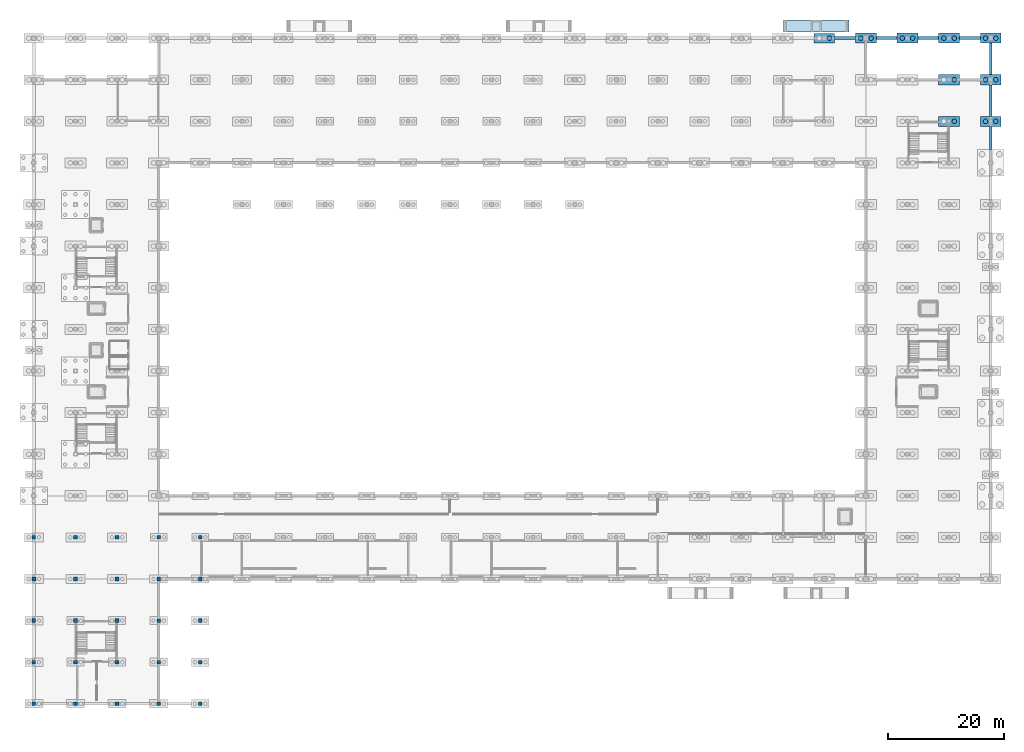
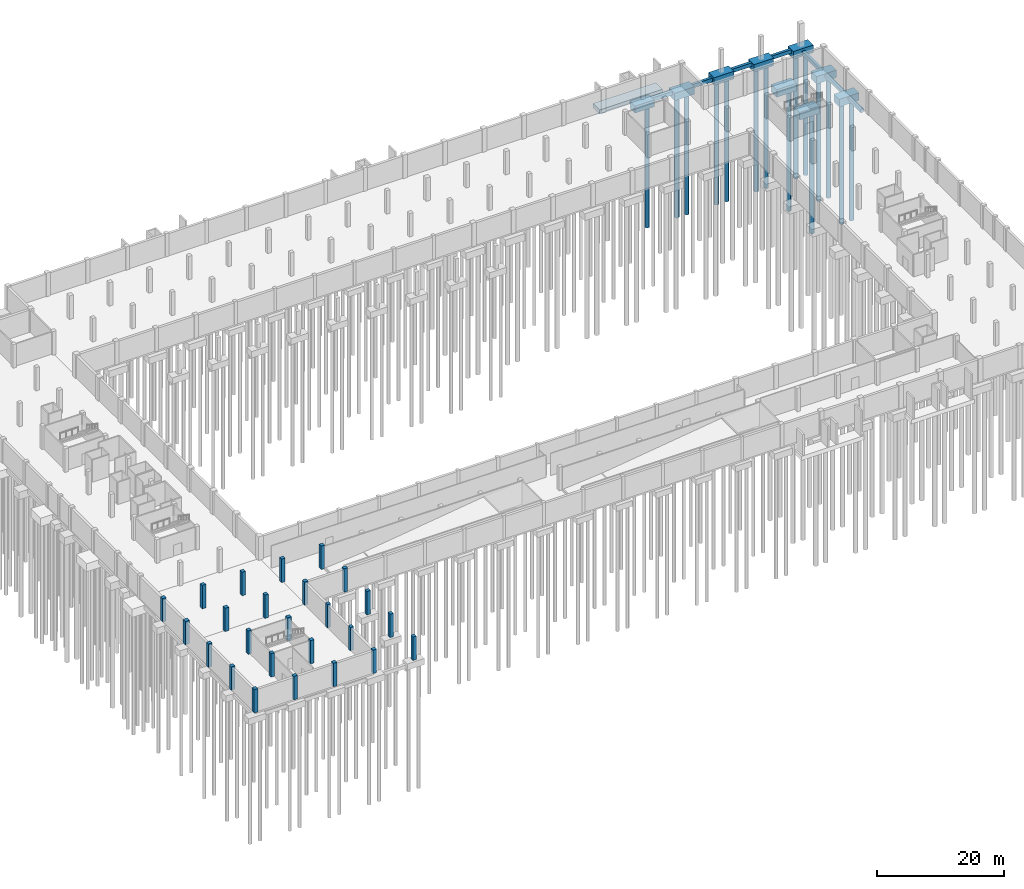
# One storey, part 6 of 18: 25 columns, 17 footings, 15 piles.
"""IFC4 building model written with IfcOpenShell, lengths in metres."""

import ifcopenshell
import ifcopenshell.guid

model = None  # the IFC model being written
_history = None  # IfcOwnerHistory: only IFC2X3 demands one
_inside = {}  # id of a spatial element -> (the spatial element, [elements in it])
_under = {}  # id of a project, library or spatial element -> (it, [spatial elements below it])
_declared = {}  # id of a project -> (the project, [libraries it declares])
_typed = {}  # id of a type object -> (the type object, [elements of that type])
_made_of = {}  # id of a material, layer set ... -> (it, [elements and type objects made of it])


def new_model(schema):
    """Start an empty IFC model of exactly this schema.

    Asked for "IFC4X3", IfcOpenShell would pick the latest addendum, in which some entities
    have other attributes; the version numbers below select the first issue.
    IFC2X3 requires an IfcOwnerHistory on every rooted entity: one is made here for all.
    """
    global model, _history
    if schema == "IFC4X3":
        model = ifcopenshell.file(schema_version=(4, 3, 0, 0))
    else:
        model = ifcopenshell.file(schema=schema)
    _inside.clear()
    _under.clear()
    _declared.clear()
    _typed.clear()
    _made_of.clear()
    _history = None
    if model.schema == "IFC2X3":
        org = make("IfcOrganization", Name="unknown")
        user = make(
            "IfcPersonAndOrganization",
            ThePerson=make("IfcPerson", FamilyName="unknown"),
            TheOrganization=org,
        )
        app = make(
            "IfcApplication",
            ApplicationDeveloper=org,
            Version="unknown",
            ApplicationFullName="unknown",
            ApplicationIdentifier="unknown",
        )
        _history = make(
            "IfcOwnerHistory",
            OwningUser=user,
            OwningApplication=app,
            ChangeAction="ADDED",
            CreationDate=0,
        )
    return model


def make(cls, **values):
    """One entity of the class cls with the attributes given. An attribute that is None is left unset."""
    return model.create_entity(
        cls, **{name: value for name, value in values.items() if value is not None}
    )


def rooted(cls, **values):
    """An entity with a GlobalId (a new one), such as an element, a storey or a relation."""
    return make(cls, GlobalId=ifcopenshell.guid.new(), OwnerHistory=_history, **values)


def si_unit(unit_type, name, prefix=None):
    """IfcSIUnit, for example si_unit("LENGTHUNIT", "METRE", prefix="MILLI")."""
    return make("IfcSIUnit", UnitType=unit_type, Prefix=prefix, Name=name)


def assignment(units):
    """IfcUnitAssignment: the units of a project."""
    return None if units is None else make("IfcUnitAssignment", Units=units)


def point(xyz):
    """IfcCartesianPoint."""
    return None if xyz is None else make("IfcCartesianPoint", Coordinates=xyz)


def direction(xyz):
    """IfcDirection."""
    return None if xyz is None else make("IfcDirection", DirectionRatios=xyz)


def frame(location, z_axis=None, x_axis=None):
    """IfcAxis2Placement3D, a coordinate frame: its origin and axes. An axis left out is left unset."""
    return make(
        "IfcAxis2Placement3D",
        Location=point(location),
        Axis=direction(z_axis),
        RefDirection=direction(x_axis),
    )


def frame_2d(location, x_axis=None):
    """IfcAxis2Placement2D, a coordinate frame in the plane: its origin and x axis."""
    return make(
        "IfcAxis2Placement2D", Location=point(location), RefDirection=direction(x_axis)
    )


def origin():
    """The frame at (0, 0, 0) with its axes left unset."""
    return frame((0.0, 0.0, 0.0))


def origin_2d():
    """The frame at (0, 0) in the plane with its x axis left unset."""
    return frame_2d((0.0, 0.0))


def place(relative_to, where):
    """IfcLocalPlacement: puts the frame where relative to a parent placement (None: the world)."""
    return make(
        "IfcLocalPlacement", PlacementRelTo=relative_to, RelativePlacement=where
    )


def context(
    kind, dimensions, precision=None, world=None, true_north=None, identifier=None
):
    """IfcGeometricRepresentationContext, for example the 3D "Model" context."""
    return make(
        "IfcGeometricRepresentationContext",
        ContextIdentifier=identifier,
        ContextType=kind,
        CoordinateSpaceDimension=dimensions,
        Precision=precision,
        WorldCoordinateSystem=world,
        TrueNorth=true_north,
    )


def subcontext(parent, identifier, kind, view, scale=None):
    """IfcGeometricRepresentationSubContext, for example "Body" below "Model"."""
    return make(
        "IfcGeometricRepresentationSubContext",
        ContextIdentifier=identifier,
        ContextType=kind,
        ParentContext=parent,
        TargetScale=scale,
        TargetView=view,
    )


def project(units=None, contexts=None):
    """IfcProject with its units and contexts."""
    return rooted(
        "IfcProject",
        Name="project",
        RepresentationContexts=contexts,
        UnitsInContext=assignment(units),
    )


def spatial(cls, under=None, at=None, **own):
    """A site, building, storey or space (cls), placed at a placement, below another one or the project."""
    s = rooted(cls, ObjectPlacement=at, **own)
    if under is not None:
        _under.setdefault(under.id(), (under, []))[1].append(s)
    return s


def profile(cls, at=None, kind="AREA", **sizes):
    """A parametric profile (cls). Its sizes go by their IFC names, for example OverallWidth=200.0."""
    return make(cls, ProfileType=kind, Position=at, **sizes)


def rectangle(**sizes):
    """IfcRectangleProfileDef."""
    return profile("IfcRectangleProfileDef", **sizes)


def circle(**sizes):
    """IfcCircleProfileDef."""
    return profile("IfcCircleProfileDef", **sizes)


def extrude(swept, where, along, depth):
    """IfcExtrudedAreaSolid: the profile swept, set in the frame where, extruded along a direction by depth."""
    return make(
        "IfcExtrudedAreaSolid",
        SweptArea=swept,
        Position=where,
        ExtrudedDirection=direction(along),
        Depth=depth,
    )


def shape(context_of_items, identifier, shape_type, items):
    """IfcShapeRepresentation: the items that make up one representation, for example the "Body"."""
    return make(
        "IfcShapeRepresentation",
        ContextOfItems=context_of_items,
        RepresentationIdentifier=identifier,
        RepresentationType=shape_type,
        Items=items,
    )


def material(Name=None, Category=None):
    """IfcMaterial."""
    return make("IfcMaterial", Name=Name, Category=Category)


def material_profile(
    of_material, cross_section, Name=None, Category=None, Priority=None
):
    """IfcMaterialProfile: a cross section and its material."""
    return make(
        "IfcMaterialProfile",
        Name=Name,
        Material=of_material,
        Profile=cross_section,
        Priority=Priority,
        Category=Category,
    )


def profile_set(profiles, Name=None, composite=None):
    """IfcMaterialProfileSet."""
    return make(
        "IfcMaterialProfileSet",
        Name=Name,
        MaterialProfiles=profiles,
        CompositeProfile=composite,
    )


def made_of(thing, what):
    """Note that an element or type object is made of a material, layer set ...; save() writes the relation."""
    if what is not None:
        _made_of.setdefault(what.id(), (what, []))[1].append(thing)
    return thing


def type_object(cls, material=None, **own):
    """A type object (cls), such as IfcWallType, which elements share."""
    return made_of(rooted(cls, **own), material)


def element(
    cls,
    number,
    at=None,
    inside=None,
    cuts=None,
    type_object=None,
    material=None,
    context=None,
    identifier="Body",
    shape_type=None,
    held_by="IfcProductDefinitionShape",
    body=None,
    shapes=None,
    **own,
):
    """One element of the class cls, such as IfcWall. Its Tag is "e" and its number.

    at: its placement. inside: the storey or other place that contains it. cuts: it is an
    opening in that element (IfcRelVoidsElement). A single representation is given by context,
    identifier, shape_type and body (its items); several are given by shapes. held_by: the class
    of the entity that holds the representations. save() writes the other relations.
    """
    e = rooted(cls, Tag="e%d" % number, ObjectPlacement=at, **own)
    if body is not None:
        shapes = [shape(context, identifier, shape_type, body)]
    if shapes is not None:
        e.Representation = make(held_by, Representations=shapes)
    if inside is not None:
        _inside.setdefault(inside.id(), (inside, []))[1].append(e)
    if cuts is not None:
        rooted(
            "IfcRelVoidsElement", RelatingBuildingElement=cuts, RelatedOpeningElement=e
        )
    if type_object is not None:
        _typed.setdefault(type_object.id(), (type_object, []))[1].append(e)
    return made_of(e, material)


def aggregate(whole, parts):
    """IfcRelAggregates: a whole, such as a stair, and the parts it consists of."""
    return rooted("IfcRelAggregates", RelatingObject=whole, RelatedObjects=parts)


def save(model, path):
    """Write the relations noted so far, then the file.

    IfcRelAggregates (storeys below a building ...), IfcRelContainedInSpatialStructure (elements
    in a storey), IfcRelDefinesByType, IfcRelAssociatesMaterial and IfcRelDeclares: one each for
    every whole, place, type object, material and project.
    """
    for whole, parts in _under.values():
        aggregate(whole, parts)
    for where, things in _inside.values():
        rooted(
            "IfcRelContainedInSpatialStructure",
            RelatedElements=things,
            RelatingStructure=where,
        )
    for kind, things in _typed.values():
        rooted("IfcRelDefinesByType", RelatedObjects=things, RelatingType=kind)
    for what, things in _made_of.values():
        rooted("IfcRelAssociatesMaterial", RelatedObjects=things, RelatingMaterial=what)
    for by, libraries in _declared.values():
        rooted("IfcRelDeclares", RelatingContext=by, RelatedDefinitions=libraries)
    model.write(path)


model = new_model("IFC4")

# Units and contexts
model_context = context("Model", 3, precision=1e-05, world=origin(), true_north=direction((0.0, 1.0)))
body_context = subcontext(model_context, "Body", "Model", "MODEL_VIEW")
ifc_project = project(units=[si_unit("LENGTHUNIT", "METRE"), si_unit("AREAUNIT", "SQUARE_METRE"), si_unit("VOLUMEUNIT", "CUBIC_METRE"), si_unit("PLANEANGLEUNIT", "RADIAN"), si_unit("MASSUNIT", "GRAM", prefix="KILO")], contexts=[model_context])

# Site, building, storey
site_placement = place(None, origin())
site = spatial("IfcSite", under=ifc_project, at=site_placement, CompositionType="ELEMENT")
building_placement = place(site_placement, origin())
building = spatial("IfcBuilding", under=site, at=building_placement, Name="Kangsadwip Square Police Headquarters", CompositionType="ELEMENT")
storey_placement = place(building_placement, frame((0.0, 0.0, -4.5)))
storey = spatial("IfcBuildingStorey", under=building, at=storey_placement, Name="B1", CompositionType="ELEMENT", Elevation=-4.5)

# Footing
ifc_material_1 = material(Name="Concrete M35 (35 MPa)", Category="concrete")
footing_type_1 = type_object("IfcFootingType", Name="AccRampPadFooting800", PredefinedType="PAD_FOOTING", material=ifc_material_1)
footing_1_placement = place(storey_placement, frame((135.39990234375, 117.300048828125, -1.25), z_axis=(0.0, 0.0, 1.0), x_axis=(1.0, 0.0, 0.0)))
element("IfcFooting", 1, at=footing_1_placement, inside=storey, type_object=footing_type_1, Name="Accessible Ramp Pad Footing PF-AR-003", PredefinedType="PAD_FOOTING", context=body_context, shape_type="SweptSolid", body=[
    extrude(rectangle(XDim=11.39990234375, YDim=2.080078125, at=origin_2d()), origin(), (0.0, 0.0, 1.0), 0.800048828125),
])

# Piles
ifc_material_2 = material(Name="Concrete M30 (30 MPa)", Category="concrete")
ifc_material_profile_1 = material_profile(ifc_material_2, circle(Radius=0.39990234375, at=origin_2d()), Name="PILE DIA 800")
ifc_profile_set_1 = profile_set([ifc_material_profile_1], Name="Concrete M30 (30 MPa)")
pile_type = type_object("IfcPileType", Name="BoredPileDia800", PredefinedType="BORED", material=ifc_profile_set_1)
pile_placement = place(storey_placement, frame((137.699951171875, 115.199951171875, -1.699951171875), z_axis=(0.0, 0.0, -1.0), x_axis=(1.0, 0.0, 0.0)))
element("IfcPile", 2, at=pile_placement, inside=storey, type_object=pile_type, Name="Bored Pile PILE-B1-1377-1152", PredefinedType="BORED", context=body_context, shape_type="SweptSolid", body=[
    extrude(circle(Radius=0.39990234375, at=origin_2d()), origin(), (0.0, 0.0, 1.0), 23.300048828125),
])
for number, where, z_axis, x_axis, name in (
    (3, (143.10009765625, 115.199951171875, -1.800048828125), (0.0, 0.0, -1.0), (1.0, 0.0, 0.0), "Bored Pile PILE-B1-1431-1152"),
    (4, (144.89990234375, 115.199951171875, -1.800048828125), (0.0, 0.0, -1.0), (1.0, 0.0, 0.0), "Bored Pile PILE-B1-1449-1152"),
):
    element("IfcPile", number, at=place(storey_placement, frame(where, z_axis=z_axis, x_axis=x_axis)), inside=storey, type_object=pile_type, Name=name, PredefinedType="BORED", context=body_context, shape_type="SweptSolid", body=[
        extrude(circle(Radius=0.39990234375, at=origin_2d()), origin(), (0.0, 0.0, 1.0), 23.199951171875),
    ])
for number, where, z_axis, x_axis, name in (
    (5, (150.300048828125, 115.199951171875, -1.35009765625), (0.0, 0.0, -1.0), (1.0, 0.0, 0.0), "Bored Pile PILE-B1-1503-1152"),
    (6, (152.10009765625, 115.199951171875, -1.35009765625), (0.0, 0.0, -1.0), (1.0, 0.0, 0.0), "Bored Pile PILE-B1-1521-1152"),
):
    element("IfcPile", number, at=place(storey_placement, frame(where, z_axis=z_axis, x_axis=x_axis)), inside=storey, type_object=pile_type, Name=name, PredefinedType="BORED", context=body_context, shape_type="SweptSolid", body=[
        extrude(circle(Radius=0.39990234375, at=origin_2d()), origin(), (0.0, 0.0, 1.0), 23.64990234375),
    ])
for number, where, z_axis, x_axis, name in (
    (7, (159.300048828125, 100.800048828125, -1.800048828125), (0.0, 0.0, -1.0), (1.0, 0.0, 0.0), "Bored Pile PILE-B1-1593-1008"),
    (8, (159.300048828125, 108.0, -1.800048828125), (0.0, 0.0, -1.0), (1.0, 0.0, 0.0), "Bored Pile PILE-B1-1593-1080"),
):
    element("IfcPile", number, at=place(storey_placement, frame(where, z_axis=z_axis, x_axis=x_axis)), inside=storey, type_object=pile_type, Name=name, PredefinedType="BORED", context=body_context, shape_type="SweptSolid", body=[
        extrude(circle(Radius=0.39990234375, at=origin_2d()), origin(), (0.0, 0.0, 1.0), 23.199951171875),
    ])
for number, where, z_axis, x_axis, name in (
    (9, (157.5, 115.199951171875, -1.35009765625), (0.0, 0.0, -1.0), (1.0, 0.0, 0.0), "Bored Pile PILE-B1-1575-1152"),
    (10, (159.300048828125, 115.199951171875, -1.35009765625), (0.0, 0.0, -1.0), (1.0, 0.0, 0.0), "Bored Pile PILE-B1-1593-1152"),
):
    element("IfcPile", number, at=place(storey_placement, frame(where, z_axis=z_axis, x_axis=x_axis)), inside=storey, type_object=pile_type, Name=name, PredefinedType="BORED", context=body_context, shape_type="SweptSolid", body=[
        extrude(circle(Radius=0.39990234375, at=origin_2d()), origin(), (0.0, 0.0, 1.0), 23.64990234375),
    ])
for number, where, z_axis, x_axis, name in (
    (11, (164.699951171875, 100.800048828125, -1.800048828125), (0.0, 0.0, -1.0), (1.0, 0.0, 0.0), "Bored Pile PILE-B1-1647-1008"),
    (12, (166.5, 100.800048828125, -1.800048828125), (0.0, 0.0, -1.0), (1.0, 0.0, 0.0), "Bored Pile PILE-B1-1665-1008"),
    (13, (164.699951171875, 108.0, -1.800048828125), (0.0, 0.0, -1.0), (1.0, 0.0, 0.0), "Bored Pile PILE-B1-1647-1080"),
    (14, (166.5, 108.0, -1.800048828125), (0.0, 0.0, -1.0), (1.0, 0.0, 0.0), "Bored Pile PILE-B1-1665-1080"),
):
    element("IfcPile", number, at=place(storey_placement, frame(where, z_axis=z_axis, x_axis=x_axis)), inside=storey, type_object=pile_type, Name=name, PredefinedType="BORED", context=body_context, shape_type="SweptSolid", body=[
        extrude(circle(Radius=0.39990234375, at=origin_2d()), origin(), (0.0, 0.0, 1.0), 23.199951171875),
    ])
for number, where, z_axis, x_axis, name in (
    (15, (164.699951171875, 115.199951171875, -1.35009765625), (0.0, 0.0, -1.0), (1.0, 0.0, 0.0), "Bored Pile PILE-B1-1647-1152"),
    (16, (166.5, 115.199951171875, -1.35009765625), (0.0, 0.0, -1.0), (1.0, 0.0, 0.0), "Bored Pile PILE-B1-1665-1152"),
):
    element("IfcPile", number, at=place(storey_placement, frame(where, z_axis=z_axis, x_axis=x_axis)), inside=storey, type_object=pile_type, Name=name, PredefinedType="BORED", context=body_context, shape_type="SweptSolid", body=[
        extrude(circle(Radius=0.39990234375, at=origin_2d()), origin(), (0.0, 0.0, 1.0), 23.64990234375),
    ])

# Footings
ifc_material_3 = material(Name="Concrete M35 (35 MPa)", Category="concrete")
footing_type_2 = type_object("IfcFootingType", Name="PileCap2P3500x1650x1350", PredefinedType="PILE_CAP", material=ifc_material_3)
footing_2_placement = place(storey_placement, frame((136.800048828125, 115.199951171875, -1.800048828125), z_axis=(0.0, 0.0, 1.0), x_axis=(1.0, 0.0, 0.0)))
element("IfcFooting", 17, at=footing_2_placement, inside=storey, type_object=footing_type_2, Name="Pile Cap PC-B1-192", PredefinedType="PILE_CAP", context=body_context, shape_type="SweptSolid", body=[
    extrude(rectangle(XDim=3.5, YDim=1.64990234375, at=origin_2d()), origin(), (0.0, 0.0, 1.0), 1.35009765625),
])
ifc_material_4 = material(Name="Concrete M35 (35 MPa)", Category="concrete")
footing_type_3 = type_object("IfcFootingType", Name="PileCap2P3600x1750x1450", PredefinedType="PILE_CAP", material=ifc_material_4)
for number, where, z_axis, x_axis, name in (
    (18, (144.0, 115.199951171875, -1.89990234375), (0.0, 0.0, 1.0), (1.0, 0.0, 0.0), "Pile Cap PC-B1-206"),
    (19, (151.199951171875, 115.199951171875, -1.4501953125), (0.0, 0.0, 1.0), (1.0, 0.0, 0.0), "Pile Cap PC-B1-220"),
    (20, (158.39990234375, 100.800048828125, -1.89990234375), (0.0, 0.0, 1.0), (1.0, 0.0, 0.0), "Pile Cap PC-B1-232"),
    (21, (158.39990234375, 108.0, -1.89990234375), (0.0, 0.0, 1.0), (1.0, 0.0, 0.0), "Pile Cap PC-B1-233"),
    (22, (158.39990234375, 115.199951171875, -1.4501953125), (0.0, 0.0, 1.0), (1.0, 0.0, 0.0), "Pile Cap PC-B1-234"),
    (23, (165.60009765625, 100.800048828125, -1.89990234375), (0.0, 0.0, 1.0), (1.0, 0.0, 0.0), "Pile Cap PC-B1-246"),
    (24, (165.60009765625, 108.0, -1.89990234375), (0.0, 0.0, 1.0), (1.0, 0.0, 0.0), "Pile Cap PC-B1-247"),
    (25, (165.60009765625, 115.199951171875, -1.4501953125), (0.0, 0.0, 1.0), (1.0, 0.0, 0.0), "Pile Cap PC-B1-248"),
):
    element("IfcFooting", number, at=place(storey_placement, frame(where, z_axis=z_axis, x_axis=x_axis)), inside=storey, type_object=footing_type_3, Name=name, PredefinedType="PILE_CAP", context=body_context, shape_type="SweptSolid", body=[
        extrude(rectangle(XDim=3.60009765625, YDim=1.75, at=origin_2d()), origin(), (0.0, 0.0, 1.0), 1.449951171875),
    ])
ifc_material_5 = material(Name="Concrete M35 (35 MPa)", Category="concrete")
footing_type_4 = type_object("IfcFootingType", Name="TieGroundBeam3600x500", PredefinedType="FOOTING_BEAM", material=ifc_material_5)
for number, where, z_axis, x_axis, name in (
    (26, (147.60009765625, 115.199951171875, -1.14990234375), (0.0, 0.0, 1.0), (1.0, 0.0, 0.0), "Foundation GB-B1-041"),
    (27, (154.800048828125, 115.199951171875, -0.7001953125), (0.0, 0.0, 1.0), (1.0, 0.0, 0.0), "Foundation GB-B1-042"),
    (28, (162.0, 115.199951171875, -0.7001953125), (0.0, 0.0, 1.0), (1.0, 0.0, 0.0), "Foundation GB-B1-043"),
):
    element("IfcFooting", number, at=place(storey_placement, frame(where, z_axis=z_axis, x_axis=x_axis)), inside=storey, type_object=footing_type_4, Name=name, PredefinedType="FOOTING_BEAM", context=body_context, shape_type="SweptSolid", body=[
        extrude(rectangle(XDim=3.60009765625, YDim=0.5, at=origin_2d()), origin(), (0.0, 0.0, 1.0), 0.699951171875),
    ])
ifc_material_6 = material(Name="Concrete M35 (35 MPa)", Category="concrete")
footing_type_5 = type_object("IfcFootingType", Name="TieGroundBeam3650x500", PredefinedType="FOOTING_BEAM", material=ifc_material_6)
footing_3_placement = place(storey_placement, frame((140.375, 115.199951171875, -1.14990234375), z_axis=(0.0, 0.0, 1.0), x_axis=(1.0, 0.0, 0.0)))
element("IfcFooting", 29, at=footing_3_placement, inside=storey, type_object=footing_type_5, Name="Foundation GB-B1-040", PredefinedType="FOOTING_BEAM", context=body_context, shape_type="SweptSolid", body=[
    extrude(rectangle(XDim=3.64990234375, YDim=0.5, at=origin_2d()), origin(), (0.0, 0.0, 1.0), 0.699951171875),
])
ifc_material_7 = material(Name="Concrete M35 (35 MPa)", Category="concrete")
footing_type_6 = type_object("IfcFootingType", Name="TieGroundBeam4025x500", PredefinedType="FOOTING_BEAM", material=ifc_material_7)
footing_4_placement = place(storey_placement, frame((165.60009765625, 97.91259765625, -1.14990234375), z_axis=(0.0, 0.0, 1.0), x_axis=(0.0, 1.0, 0.0)))
element("IfcFooting", 30, at=footing_4_placement, inside=storey, type_object=footing_type_6, Name="Foundation GB-B1-054", PredefinedType="FOOTING_BEAM", context=body_context, shape_type="SweptSolid", body=[
    extrude(rectangle(XDim=4.02490234375, YDim=0.5, at=origin_2d()), origin(), (0.0, 0.0, 1.0), 0.699951171875),
])
ifc_material_8 = material(Name="Concrete M35 (35 MPa)", Category="concrete")
footing_type_7 = type_object("IfcFootingType", Name="TieGroundBeam5450x500", PredefinedType="FOOTING_BEAM", material=ifc_material_8)
for number, where, z_axis, x_axis, name in (
    (31, (165.60009765625, 104.39990234375, -1.14990234375), (0.0, 0.0, 1.0), (0.0, 1.0, 0.0), "Foundation GB-B1-055"),
    (32, (165.60009765625, 111.60009765625, -1.14990234375), (0.0, 0.0, 1.0), (0.0, 1.0, 0.0), "Foundation GB-B1-056"),
):
    element("IfcFooting", number, at=place(storey_placement, frame(where, z_axis=z_axis, x_axis=x_axis)), inside=storey, type_object=footing_type_7, Name=name, PredefinedType="FOOTING_BEAM", context=body_context, shape_type="SweptSolid", body=[
        extrude(rectangle(XDim=5.449951171875, YDim=0.5, at=origin_2d()), origin(), (0.0, 0.0, 1.0), 0.699951171875),
    ])

# Columns
ifc_material_9 = material(Name="Concrete M35 (35 MPa)", Category="concrete")
ifc_material_profile_2 = material_profile(ifc_material_9, rectangle(XDim=0.60009765625, YDim=0.60009765625, at=origin_2d()), Name="RC COL 600X600")
ifc_profile_set_2 = profile_set([ifc_material_profile_2], Name="Concrete M35 (35 MPa)")
column_type_1 = type_object("IfcColumnType", Name="RcCol600x600", PredefinedType="COLUMN", material=ifc_profile_set_2)
for number, where, z_axis, x_axis, name in (
    (33, (21.60009765625, 7.199951171875, 0.0), (0.0, 0.0, 1.0), (1.0, 0.0, 0.0), "Column COL-B1-03-01"),
    (34, (21.60009765625, 14.39990234375, 0.0), (0.0, 0.0, 1.0), (1.0, 0.0, 0.0), "Column COL-B1-03-02"),
):
    element("IfcColumn", number, at=place(storey_placement, frame(where, z_axis=z_axis, x_axis=x_axis)), inside=storey, type_object=column_type_1, Name=name, PredefinedType="COLUMN", context=body_context, shape_type="SweptSolid", body=[
        extrude(rectangle(XDim=0.60009765625, YDim=0.60009765625, at=origin_2d()), origin(), (0.0, 0.0, 1.0), 4.5),
    ])
ifc_material_10 = material(Name="Concrete M40 (40 MPa)", Category="concrete")
ifc_material_profile_3 = material_profile(ifc_material_10, rectangle(XDim=0.64990234375, YDim=0.64990234375, at=origin_2d()), Name="RC COL 650X650")
ifc_profile_set_3 = profile_set([ifc_material_profile_3], Name="Concrete M40 (40 MPa)")
column_type_2 = type_object("IfcColumnType", Name="RcCol650x650", PredefinedType="COLUMN", material=ifc_profile_set_3)
for number, where, z_axis, x_axis, name in (
    (35, (0.0, 0.0, 0.0), (0.0, 0.0, 1.0), (1.0, 0.0, 0.0), "Column COL-B1-00-00"),
    (36, (0.0, 7.199951171875, 0.0), (0.0, 0.0, 1.0), (1.0, 0.0, 0.0), "Column COL-B1-00-01"),
    (37, (0.0, 14.39990234375, 0.0), (0.0, 0.0, 1.0), (1.0, 0.0, 0.0), "Column COL-B1-00-02"),
    (38, (0.0, 28.800048828125, 0.0), (0.0, 0.0, 1.0), (1.0, 0.0, 0.0), "Column COL-B1-00-04"),
    (39, (7.199951171875, 0.0, 0.0), (0.0, 0.0, 1.0), (1.0, 0.0, 0.0), "Column COL-B1-01-00"),
    (40, (7.199951171875, 7.199951171875, 0.0), (0.0, 0.0, 1.0), (1.0, 0.0, 0.0), "Column COL-B1-01-01"),
    (41, (7.199951171875, 14.39990234375, 0.0), (0.0, 0.0, 1.0), (1.0, 0.0, 0.0), "Column COL-B1-01-02"),
    (42, (7.199951171875, 21.60009765625, 0.0), (0.0, 0.0, 1.0), (1.0, 0.0, 0.0), "Column COL-B1-01-03"),
    (43, (7.199951171875, 28.800048828125, 0.0), (0.0, 0.0, 1.0), (1.0, 0.0, 0.0), "Column COL-B1-01-04"),
    (44, (14.39990234375, 0.0, 0.0), (0.0, 0.0, 1.0), (1.0, 0.0, 0.0), "Column COL-B1-02-00"),
    (45, (14.39990234375, 7.199951171875, 0.0), (0.0, 0.0, 1.0), (1.0, 0.0, 0.0), "Column COL-B1-02-01"),
    (46, (14.39990234375, 14.39990234375, 0.0), (0.0, 0.0, 1.0), (1.0, 0.0, 0.0), "Column COL-B1-02-02"),
    (47, (14.39990234375, 21.60009765625, 0.0), (0.0, 0.0, 1.0), (1.0, 0.0, 0.0), "Column COL-B1-02-03"),
    (48, (14.39990234375, 28.800048828125, 0.0), (0.0, 0.0, 1.0), (1.0, 0.0, 0.0), "Column COL-B1-02-04"),
    (49, (21.60009765625, 0.0, 0.0), (0.0, 0.0, 1.0), (1.0, 0.0, 0.0), "Column COL-B1-03-00"),
    (50, (21.60009765625, 21.60009765625, 0.0), (0.0, 0.0, 1.0), (1.0, 0.0, 0.0), "Column COL-B1-03-03"),
    (51, (21.60009765625, 28.800048828125, 0.0), (0.0, 0.0, 1.0), (1.0, 0.0, 0.0), "Column COL-B1-03-04"),
    (52, (28.800048828125, 0.0, 0.0), (0.0, 0.0, 1.0), (1.0, 0.0, 0.0), "Column COL-B1-04-00"),
    (53, (28.800048828125, 7.199951171875, 0.0), (0.0, 0.0, 1.0), (1.0, 0.0, 0.0), "Column COL-B1-04-01"),
    (54, (28.800048828125, 14.39990234375, 0.0), (0.0, 0.0, 1.0), (1.0, 0.0, 0.0), "Column COL-B1-04-02"),
    (55, (28.800048828125, 21.60009765625, 0.0), (0.0, 0.0, 1.0), (1.0, 0.0, 0.0), "Column COL-B1-04-03"),
    (56, (28.800048828125, 28.800048828125, 0.0), (0.0, 0.0, 1.0), (1.0, 0.0, 0.0), "Column COL-B1-04-04"),
):
    element("IfcColumn", number, at=place(storey_placement, frame(where, z_axis=z_axis, x_axis=x_axis)), inside=storey, type_object=column_type_2, Name=name, PredefinedType="COLUMN", context=body_context, shape_type="SweptSolid", body=[
        extrude(rectangle(XDim=0.64990234375, YDim=0.64990234375, at=origin_2d()), origin(), (0.0, 0.0, 1.0), 4.5),
    ])
ifc_material_11 = material(Name="Concrete M40 (40 MPa)", Category="concrete")
ifc_material_profile_4 = material_profile(ifc_material_11, rectangle(XDim=0.699951171875, YDim=0.699951171875, at=origin_2d()), Name="RC COL 700X700")
ifc_profile_set_4 = profile_set([ifc_material_profile_4], Name="Concrete M40 (40 MPa)")
column_type_3 = type_object("IfcColumnType", Name="RcCol700x700", PredefinedType="COLUMN", material=ifc_profile_set_4)
column_placement = place(storey_placement, frame((0.0, 21.60009765625, 0.0), z_axis=(0.0, 0.0, 1.0), x_axis=(1.0, 0.0, 0.0)))
element("IfcColumn", 57, at=column_placement, inside=storey, type_object=column_type_3, Name="Column COL-B1-00-03", PredefinedType="COLUMN", context=body_context, shape_type="SweptSolid", body=[
    extrude(rectangle(XDim=0.699951171875, YDim=0.699951171875, at=origin_2d()), origin(), (0.0, 0.0, 1.0), 4.5),
])

save(model, "model.ifc")
